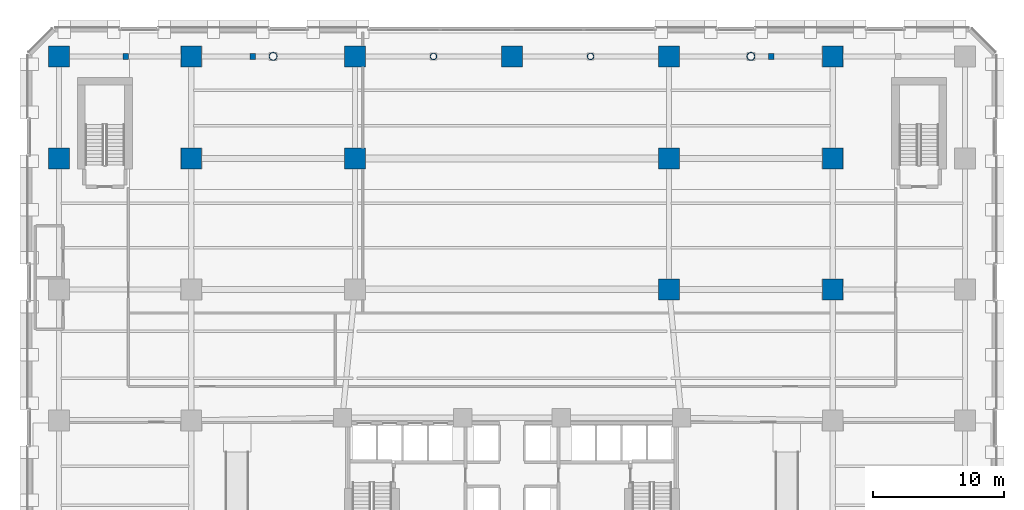
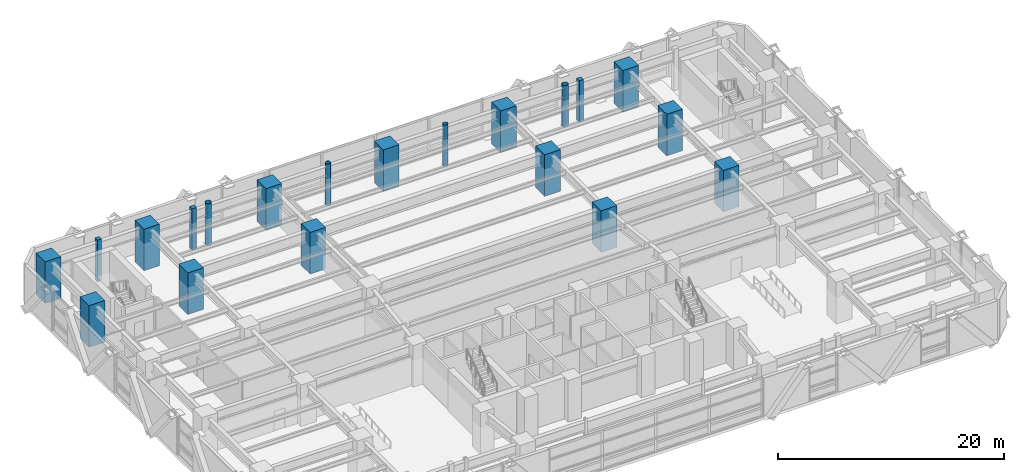
# One storey, part 4 of 26: 20 columns.
"""IFC4 building model written with IfcOpenShell, lengths in metres."""

from ifc_helpers import new_model, si_unit, direction, frame, origin, origin_2d, place, context, subcontext, project, spatial, rectangle, hollow_circle, extrude, material, material_profile, profile_set, type_object, element, save


model = new_model("IFC4")

# Units and contexts
model_context = context("Model", 3, precision=1e-05, world=origin(), true_north=direction((0.0, 1.0)))
body_context = subcontext(model_context, "Body", "Model", "MODEL_VIEW")
ifc_project = project(units=[si_unit("LENGTHUNIT", "METRE"), si_unit("AREAUNIT", "SQUARE_METRE"), si_unit("VOLUMEUNIT", "CUBIC_METRE"), si_unit("PLANEANGLEUNIT", "RADIAN"), si_unit("MASSUNIT", "GRAM", prefix="KILO")], contexts=[model_context])

# Site, building, storey
site_placement = place(None, origin())
site = spatial("IfcSite", under=ifc_project, at=site_placement, CompositionType="ELEMENT")
building_placement = place(site_placement, origin())
building = spatial("IfcBuilding", under=site, at=building_placement, Name="Quenlor Broadcast Tower", CompositionType="ELEMENT")
storey_placement = place(building_placement, frame((0.0, 0.0, 5.0)))
storey = spatial("IfcBuildingStorey", under=building, at=storey_placement, Name="L01", CompositionType="ELEMENT", Elevation=5.0)

# Columns
ifc_material_1 = material(Name="Concrete C40/50", Category="concrete")
ifc_material_profile_1 = material_profile(ifc_material_1, rectangle(XDim=0.449951171875, YDim=0.449951171875, at=origin_2d()))
ifc_profile_set_1 = profile_set([ifc_material_profile_1], Name="Concrete C40/50 PIL450x450")
column_type_1 = type_object("IfcColumnType", Name="Podium Gallery Pilaster Concrete C40/50 450", PredefinedType="PILASTER", material=ifc_profile_set_1)
for number, where, z_axis, x_axis, name in (
    (1, (-29.5, 22.800048828125, 0.0), (0.0, 0.0, 1.0), (1.0, 0.0, 0.0), "L01 Colonnade Pilaster N1"),
    (2, (-19.800048828125, 22.800048828125, 0.0), (0.0, 0.0, 1.0), (1.0, 0.0, 0.0), "L01 Colonnade Pilaster N2"),
    (3, (19.800048828125, 22.800048828125, 0.0), (0.0, 0.0, 1.0), (1.0, 0.0, 0.0), "L01 Colonnade Pilaster N3"),
):
    element("IfcColumn", number, at=place(storey_placement, frame(where, z_axis=z_axis, x_axis=x_axis)), inside=storey, type_object=column_type_1, Name=name, PredefinedType="PILASTER", context=body_context, shape_type="SweptSolid", body=[
        extrude(rectangle(XDim=0.449951171875, YDim=0.449951171875, at=origin_2d()), origin(), (0.0, 0.0, 1.0), 4.5),
    ])
ifc_material_2 = material(Name="Concrete C65/80", Category="concrete")
ifc_material_profile_2 = material_profile(ifc_material_2, rectangle(XDim=1.60009765625, YDim=1.60009765625, at=origin_2d()))
ifc_profile_set_2 = profile_set([ifc_material_profile_2], Name="Concrete C65/80 RC1600x1600")
column_type_2 = type_object("IfcColumnType", Name="Podium Mega Column Concrete C65/80 1600", PredefinedType="COLUMN", material=ifc_profile_set_2)
for number, where, z_axis, x_axis, name in (
    (4, (12.0, 5.0, 0.0), (0.0, 0.0, 1.0), (1.0, 0.0, 0.0), "L01 Podium Mega Column PM18"),
    (5, (24.5, 5.0, 0.0), (0.0, 0.0, 1.0), (1.0, 0.0, 0.0), "L01 Podium Mega Column PM19"),
    (6, (-34.60009765625, 15.0, 0.0), (0.0, 0.0, 1.0), (1.0, 0.0, 0.0), "L01 Podium Mega Column PM21"),
    (7, (-24.5, 15.0, 0.0), (0.0, 0.0, 1.0), (1.0, 0.0, 0.0), "L01 Podium Mega Column PM22"),
    (8, (-12.0, 15.0, 0.0), (0.0, 0.0, 1.0), (1.0, 0.0, 0.0), "L01 Podium Mega Column PM23"),
    (9, (12.0, 15.0, 0.0), (0.0, 0.0, 1.0), (1.0, 0.0, 0.0), "L01 Podium Mega Column PM24"),
    (10, (24.5, 15.0, 0.0), (0.0, 0.0, 1.0), (1.0, 0.0, 0.0), "L01 Podium Mega Column PM25"),
    (11, (-34.60009765625, 22.800048828125, 0.0), (0.0, 0.0, 1.0), (1.0, 0.0, 0.0), "L01 Podium Mega Column PM27"),
    (12, (-24.5, 22.800048828125, 0.0), (0.0, 0.0, 1.0), (1.0, 0.0, 0.0), "L01 Podium Mega Column PM28"),
    (13, (-12.0, 22.800048828125, 0.0), (0.0, 0.0, 1.0), (1.0, 0.0, 0.0), "L01 Podium Mega Column PM29"),
    (14, (0.0, 22.800048828125, 0.0), (0.0, 0.0, 1.0), (1.0, 0.0, 0.0), "L01 Podium Mega Column PM30"),
    (15, (12.0, 22.800048828125, 0.0), (0.0, 0.0, 1.0), (1.0, 0.0, 0.0), "L01 Podium Mega Column PM31"),
    (16, (24.5, 22.800048828125, 0.0), (0.0, 0.0, 1.0), (1.0, 0.0, 0.0), "L01 Podium Mega Column PM32"),
):
    element("IfcColumn", number, at=place(storey_placement, frame(where, z_axis=z_axis, x_axis=x_axis)), inside=storey, type_object=column_type_2, Name=name, PredefinedType="COLUMN", context=body_context, shape_type="SweptSolid", body=[
        extrude(rectangle(XDim=1.60009765625, YDim=1.60009765625, at=origin_2d()), origin(), (0.0, 0.0, 1.0), 4.5),
    ])
ifc_material_3 = material(Name="Steel S355", Category="steel")
ifc_material_profile_3 = material_profile(ifc_material_3, hollow_circle(Radius=0.304931640625, WallThickness=0.02490234375, at=origin_2d()))
ifc_profile_set_3 = profile_set([ifc_material_profile_3], Name="Steel S355 CHS610x25")
column_type_3 = type_object("IfcColumnType", Name="Station Concourse Column Steel S355 CHS610", PredefinedType="COLUMN", material=ifc_profile_set_3)
for number, where, z_axis, x_axis, name in (
    (17, (-18.25, 22.800048828125, 0.0), (0.0, 0.0, 1.0), (1.0, 0.0, 0.0), "L01 Station Steel Column SCW1"),
    (18, (18.25, 22.800048828125, 0.0), (0.0, 0.0, 1.0), (1.0, 0.0, 0.0), "L01 Station Steel Column SCE1"),
):
    element("IfcColumn", number, at=place(storey_placement, frame(where, z_axis=z_axis, x_axis=x_axis)), inside=storey, type_object=column_type_3, Name=name, PredefinedType="COLUMN", context=body_context, shape_type="SweptSolid", body=[
        extrude(hollow_circle(Radius=0.304931640625, WallThickness=0.02490234375, at=origin_2d()), origin(), (0.0, 0.0, 1.0), 4.5),
    ])
ifc_material_4 = material(Name="Steel S355", Category="steel")
ifc_material_profile_4 = material_profile(ifc_material_4, hollow_circle(Radius=0.25390625, WallThickness=0.02197265625, at=origin_2d()))
ifc_profile_set_4 = profile_set([ifc_material_profile_4], Name="Steel S355 CHS508x22")
column_type_4 = type_object("IfcColumnType", Name="Station Portal Column Steel S355 CHS508", PredefinedType="COLUMN", material=ifc_profile_set_4)
for number, where, z_axis, x_axis, name in (
    (19, (-6.0, 22.800048828125, 0.0), (0.0, 0.0, 1.0), (1.0, 0.0, 0.0), "L01 Station Steel Column SCW2"),
    (20, (6.0, 22.800048828125, 0.0), (0.0, 0.0, 1.0), (1.0, 0.0, 0.0), "L01 Station Steel Column SCE2"),
):
    element("IfcColumn", number, at=place(storey_placement, frame(where, z_axis=z_axis, x_axis=x_axis)), inside=storey, type_object=column_type_4, Name=name, PredefinedType="COLUMN", context=body_context, shape_type="SweptSolid", body=[
        extrude(hollow_circle(Radius=0.25390625, WallThickness=0.02197265625, at=origin_2d()), origin(), (0.0, 0.0, 1.0), 4.5),
    ])

save(model, "model.ifc")
